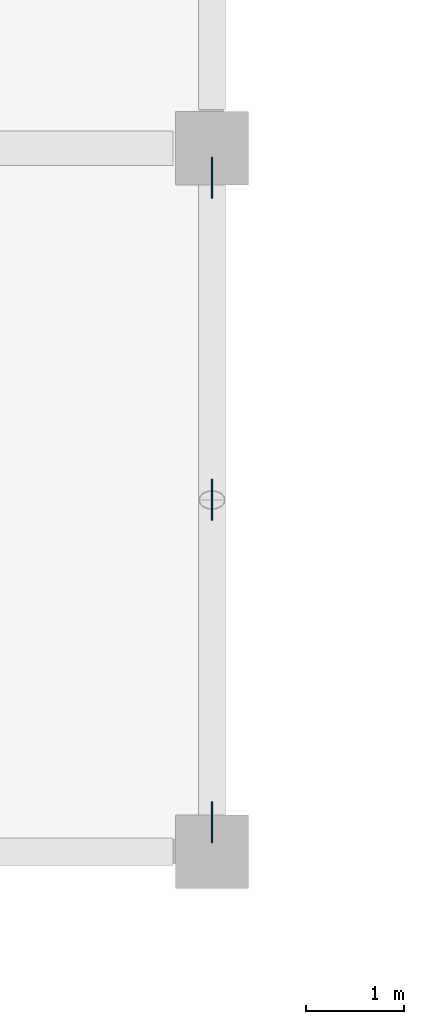
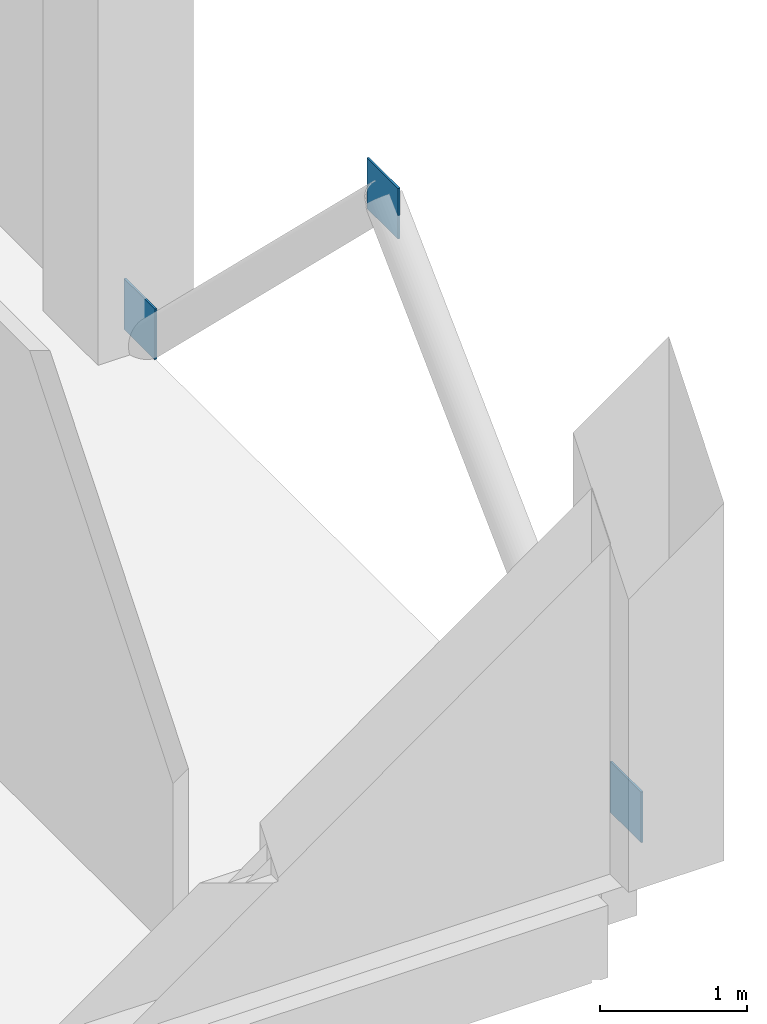
# One storey, part 64 of 91: 3 plates.
"""IFC4 building model written with IfcOpenShell, lengths in metres."""

from ifc_helpers import new_model, si_unit, direction, frame, origin, origin_2d, place, context, subcontext, project, spatial, rectangle, extrude, material, layer, layer_set, type_object, element, save


model = new_model("IFC4")

# Units and contexts
model_context = context("Model", 3, precision=1e-05, world=origin(), true_north=direction((0.0, 1.0)))
body_context = subcontext(model_context, "Body", "Model", "MODEL_VIEW")
ifc_project = project(units=[si_unit("LENGTHUNIT", "METRE"), si_unit("AREAUNIT", "SQUARE_METRE"), si_unit("VOLUMEUNIT", "CUBIC_METRE"), si_unit("PLANEANGLEUNIT", "RADIAN"), si_unit("MASSUNIT", "GRAM", prefix="KILO")], contexts=[model_context])

# Site, building, storey
site_placement = place(None, origin())
site = spatial("IfcSite", under=ifc_project, at=site_placement, CompositionType="ELEMENT")
building_placement = place(site_placement, origin())
building = spatial("IfcBuilding", under=site, at=building_placement, Name="Kangsadwip Square Police Headquarters", CompositionType="ELEMENT")
storey_placement = place(building_placement, frame((0.0, 0.0, 13.5)))
storey = spatial("IfcBuildingStorey", under=building, at=storey_placement, Name="L03", CompositionType="ELEMENT", Elevation=13.5)

# Plates
ifc_material = material(Name="Structural steel IS 2062 E350 (Grade 350, 350 MPa)", Category="steel")
ifc_layer = layer(ifc_material, 0.01611328125)
ifc_layer_set = layer_set([ifc_layer], Name="Structural steel IS 2062 E350 (Grade 350, 350 MPa)")
plate_type = type_object("IfcPlateType", Name="TrussGussetPlate16", PredefinedType="USERDEFINED", material=ifc_layer_set)
for number, where, z_axis, x_axis, name in (
    (1, (21.60009765625, 39.60009765625, 3.0), (0.0, 0.0, 1.0), (0.0, 1.0, 0.0), "Truss Node Gusset Plate GP-L03-0136"),
    (2, (21.60009765625, 36.300048828125, 0.0), (0.0, 0.0, 1.0), (0.0, 1.0, 0.0), "Truss Node Gusset Plate GP-L03-0137"),
    (3, (21.60009765625, 42.89990234375, 0.0), (0.0, 0.0, 1.0), (0.0, 1.0, 0.0), "Truss Node Gusset Plate GP-L03-0138"),
):
    element("IfcPlate", number, at=place(storey_placement, frame(where, z_axis=z_axis, x_axis=x_axis)), inside=storey, type_object=plate_type, Name=name, ObjectType="GUSSET_PLATE", PredefinedType="USERDEFINED", context=body_context, shape_type="SweptSolid", body=[
        extrude(rectangle(XDim=0.419921875, YDim=0.01611328125, at=origin_2d()), origin(), (0.0, 0.0, 1.0), 0.419921875),
    ])

save(model, "model.ifc")
